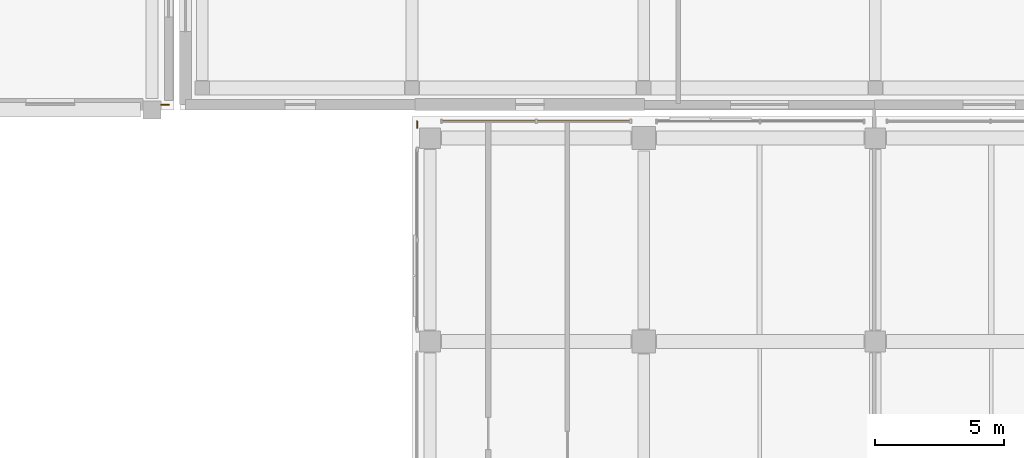
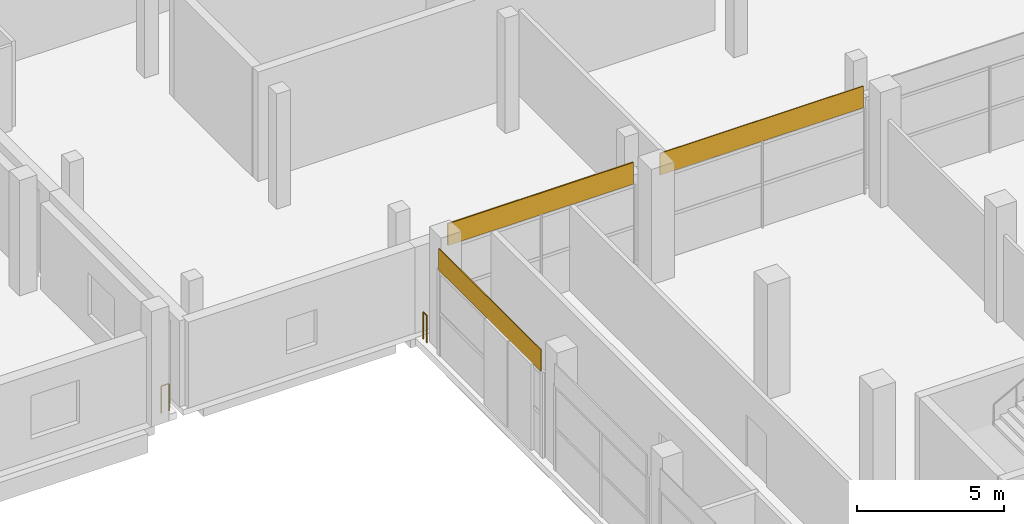
# One storey, part 105 of 111: 3 coverings, 2 railings.
"""IFC4 building model written with IfcOpenShell, lengths in metres."""

from ifc_helpers import new_model, si_unit, direction, frame, origin, origin_2d, place, context, subcontext, project, spatial, rectangle, circle, extrude, material, layer, layer_set, type_object, element, save


model = new_model("IFC4")

# Units and contexts
model_context = context("Model", 3, precision=1e-05, world=origin(), true_north=direction((0.0, 1.0)))
body_context = subcontext(model_context, "Body", "Model", "MODEL_VIEW")
ifc_project = project(units=[si_unit("LENGTHUNIT", "METRE"), si_unit("AREAUNIT", "SQUARE_METRE"), si_unit("VOLUMEUNIT", "CUBIC_METRE"), si_unit("PLANEANGLEUNIT", "RADIAN"), si_unit("MASSUNIT", "GRAM", prefix="KILO"), si_unit("THERMODYNAMICTEMPERATUREUNIT", "KELVIN"), si_unit("POWERUNIT", "WATT")], contexts=[model_context])

# Site, building, storey
site_placement = place(None, origin())
site = spatial("IfcSite", under=ifc_project, at=site_placement, CompositionType="ELEMENT")
building_placement = place(site_placement, origin())
building = spatial("IfcBuilding", under=site, at=building_placement, Name="Sindhuravela Promenade Stadium", CompositionType="ELEMENT")
storey_placement = place(building_placement, frame((0.0, 0.0, 9.60009765625)))
storey = spatial("IfcBuildingStorey", under=building, at=storey_placement, Name="L02", CompositionType="ELEMENT", Elevation=9.60009765625)

# Coverings
ifc_material_1 = material(Name="Polychrome trencadis ceramic mosaic", Category="masonry")
ifc_layer_1 = layer(ifc_material_1, 0.034912109375)
ifc_layer_set_1 = layer_set([ifc_layer_1], Name="Polychrome trencadis ceramic mosaic")
covering_type_1 = type_object("IfcCoveringType", Name="CV-TRENC-1", PredefinedType="CLADDING", material=ifc_layer_set_1)
covering_1_placement = place(storey_placement, frame((171.179931640625, 120.949951171875, 3.5546875), z_axis=(0.0, 0.0, 1.0), x_axis=(0.0, 1.0, 0.0)))
element("IfcCovering", 1, at=covering_1_placement, inside=storey, type_object=covering_type_1, Name="Trencadis ceramic mosaic spandrel frieze EAST L02-180", PredefinedType="CLADDING", context=body_context, shape_type="SweptSolid", body=[
    extrude(rectangle(XDim=6.969970703125, YDim=0.034912109375, at=origin_2d()), origin(), (0.0, 0.0, 1.0), 0.905029296875),
])
covering_2_placement = place(storey_placement, frame((184.52490234375, 125.570068359375, 3.5546875), z_axis=(0.0, 0.0, 1.0), x_axis=(1.0, 0.0, 0.0)))
element("IfcCovering", 2, at=covering_2_placement, inside=storey, type_object=covering_type_1, Name="Trencadis ceramic mosaic spandrel frieze EAST L02-182", PredefinedType="CLADDING", context=body_context, shape_type="SweptSolid", body=[
    extrude(rectangle(XDim=8.02001953125, YDim=0.034912109375, at=origin_2d()), origin(), (0.0, 0.0, 1.0), 0.905029296875),
])
ifc_layer_2 = layer(ifc_material_1, 0.050048828125)
ifc_layer_set_2 = layer_set([ifc_layer_2], Name="Polychrome trencadis ceramic mosaic")
covering_type_2 = type_object("IfcCoveringType", Name="CV-TRENC-2", PredefinedType="CLADDING", material=ifc_layer_set_2)
covering_3_placement = place(storey_placement, frame((175.824951171875, 125.570068359375, 3.5546875), z_axis=(0.0, 0.0, 1.0), x_axis=(1.0, 0.0, 0.0)))
element("IfcCovering", 3, at=covering_3_placement, inside=storey, type_object=covering_type_2, Name="Trencadis ceramic mosaic spandrel frieze EAST L02-181", PredefinedType="CLADDING", context=body_context, shape_type="SweptSolid", body=[
    extrude(rectangle(XDim=7.320068359375, YDim=0.050048828125, at=origin_2d()), origin(), (0.0, 0.0, 1.0), 0.905029296875),
])

# Railings
ifc_material_2 = material(Name="Architectural wrought steel E350", Category="steel")
railing_type = type_object("IfcRailingType", Name="RL-GRD-1150", PredefinedType="GUARDRAIL", material=ifc_material_2)
railing_1_placement = place(storey_placement, frame((171.199951171875, 125.304931640625, 0.0)))
element("IfcRailing", 4, at=railing_1_placement, inside=storey, type_object=railing_type, Name="Perimeter edge return guard EAST L02", PredefinedType="GUARDRAIL", context=body_context, shape_type="SweptSolid", body=[
    extrude(circle(Radius=0.02392578125, at=origin_2d()), frame((0.0, 0.0, 1.1259765625), z_axis=(0.0, 1.0, 0.0), x_axis=(-1.0, 0.0, 0.0)), (0.0, 0.0, 1.0), 0.2451171875),
    extrude(circle(Radius=0.02099609375, at=origin_2d()), origin(), (0.0, 0.0, 1.0), 1.101806640625),
    extrude(circle(Radius=0.02099609375, at=origin_2d()), frame((0.0, 0.2451171875, 0.0)), (0.0, 0.0, 1.0), 1.101806640625),
])
railing_2_placement = place(storey_placement, frame((161.550048828125, 126.199951171875, 0.0)))
element("IfcRailing", 5, at=railing_2_placement, inside=storey, type_object=railing_type, Name="Perimeter edge return guard NORTH L02", PredefinedType="GUARDRAIL", context=body_context, shape_type="SweptSolid", body=[
    extrude(circle(Radius=0.02392578125, at=origin_2d()), frame((0.0, 0.0, 1.1259765625), z_axis=(-1.0, 0.0, 0.0), x_axis=(0.0, -1.0, 0.0)), (0.0, 0.0, 1.0), 0.295166015625),
    extrude(circle(Radius=0.02099609375, at=origin_2d()), origin(), (0.0, 0.0, 1.0), 1.101806640625),
    extrude(circle(Radius=0.02099609375, at=origin_2d()), frame((-0.295166015625, 0.0, 0.0)), (0.0, 0.0, 1.0), 1.101806640625),
])

save(model, "model.ifc")
